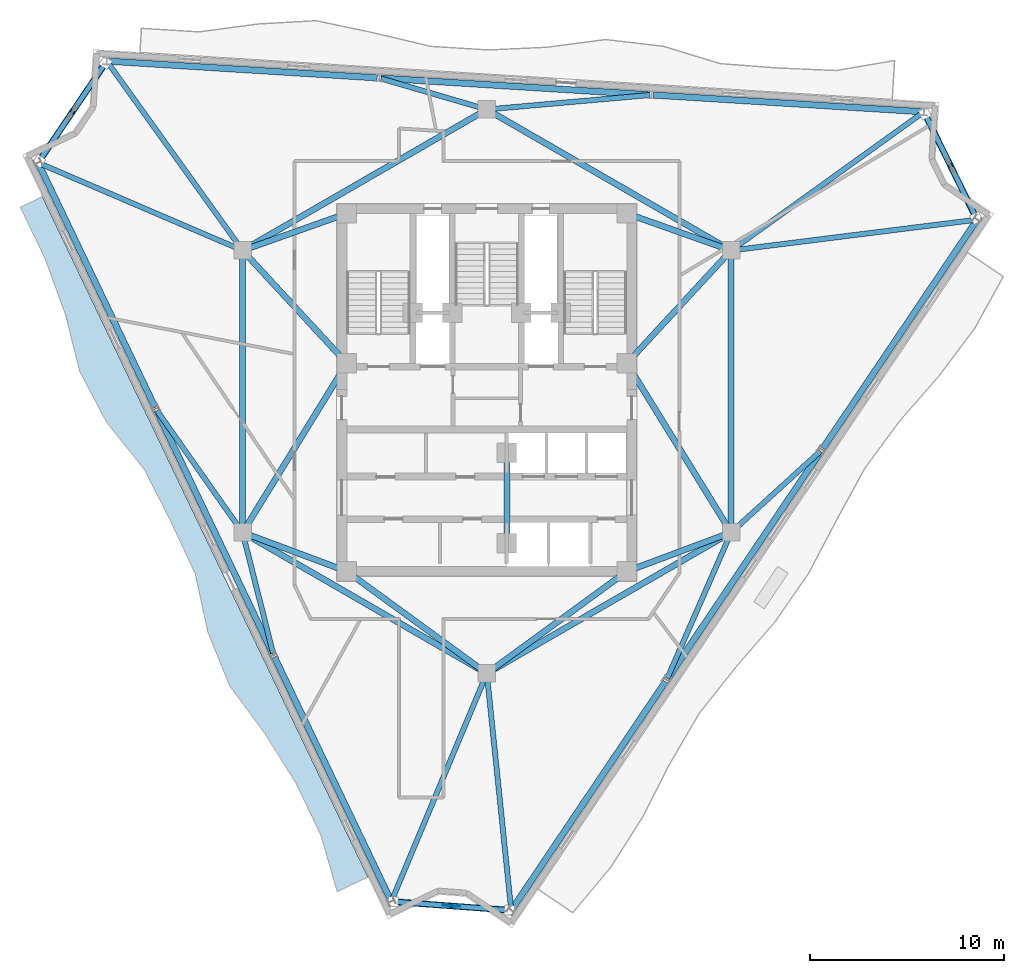
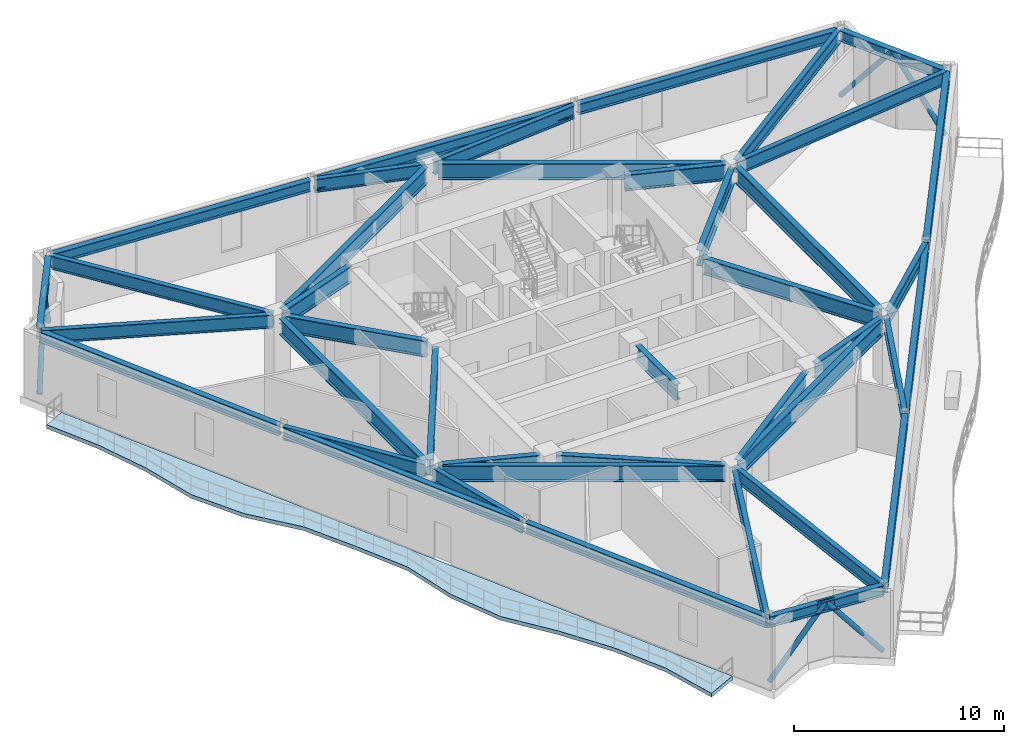
# One storey, part 4 of 11: 41 beams, 6 members, 1 plate, 1 slab.
"""IFC4 building model written with IfcOpenShell, lengths in metres."""

from ifc_helpers import new_model, si_unit, direction, frame, origin, origin_2d, place, context, subcontext, project, spatial, polyline, rectangle, hollow_circle, i_section, outline, extrude, material, layer, layer_set, material_profile, profile_set, type_object, element, save


model = new_model("IFC4")

# Units and contexts
model_context = context("Model", 3, precision=1e-05, world=origin(), true_north=direction((0.0, 1.0)))
body_context = subcontext(model_context, "Body", "Model", "MODEL_VIEW")
ifc_project = project(units=[si_unit("LENGTHUNIT", "METRE"), si_unit("AREAUNIT", "SQUARE_METRE"), si_unit("VOLUMEUNIT", "CUBIC_METRE"), si_unit("PLANEANGLEUNIT", "RADIAN"), si_unit("MASSUNIT", "GRAM", prefix="KILO")], contexts=[model_context])

# Site, building, storey
site_placement = place(None, origin())
site = spatial("IfcSite", under=ifc_project, at=site_placement, CompositionType="ELEMENT")
building_placement = place(site_placement, origin())
building = spatial("IfcBuilding", under=site, at=building_placement, Name="Apsidion Concourse Tower", CompositionType="ELEMENT")
storey_placement = place(building_placement, frame((0.0, 0.0, 294.199951171875)))
storey = spatial("IfcBuildingStorey", under=building, at=storey_placement, Name="L69", CompositionType="ELEMENT", Elevation=294.199951171875)

# Beams
ifc_material_1 = material(Name="Structural steel ASTM A992 Grade 50", Category="steel")
ifc_material_profile_1 = material_profile(ifc_material_1, i_section(OverallWidth=0.31005859375, OverallDepth=0.931884765625, WebThickness=0.02099609375, FlangeThickness=0.034423828125, at=origin_2d()), Name="W36X210")
ifc_profile_set_1 = profile_set([ifc_material_profile_1], Name="Structural steel ASTM A992 Grade 50")
beam_type_1 = type_object("IfcBeamType", Name="BM-G-W36", PredefinedType="USERDEFINED", material=ifc_profile_set_1)
beam_1_placement = place(storey_placement, frame((-12.185302734375, -7.389892578125, 3.384033203125), z_axis=(0.936913021145, -0.349562570664, 0.0), x_axis=(0.349562570664, 0.936913021145, 0.0)))
element("IfcBeam", 1, at=beam_1_placement, inside=storey, type_object=beam_type_1, Name="L69 Core Coupling Girder IC1-SC1", ObjectType="GIRDER", PredefinedType="USERDEFINED", context=body_context, shape_type="SweptSolid", body=[
    extrude(i_section(OverallWidth=0.31005859375, OverallDepth=0.931884765625, WebThickness=0.02099609375, FlangeThickness=0.034423828125, at=origin_2d()), origin(), (0.0, 0.0, 1.0), 4.921142578125),
])
beam_2_placement = place(storey_placement, frame((-12.35009765625, -6.909423828125, 3.384033203125), z_axis=(0.524524009763, 0.851395656074, 0.0), x_axis=(-0.851395656074, 0.524524009763, 0.0)))
element("IfcBeam", 2, at=beam_2_placement, inside=storey, type_object=beam_type_1, Name="L69 Core Coupling Girder IC1-SC6", ObjectType="GIRDER", PredefinedType="USERDEFINED", context=body_context, shape_type="SweptSolid", body=[
    extrude(i_section(OverallWidth=0.31005859375, OverallDepth=0.931884765625, WebThickness=0.02099609375, FlangeThickness=0.034423828125, at=origin_2d()), origin(), (0.0, 0.0, 1.0), 9.41845703125),
])
beam_3_placement = place(storey_placement, frame((12.185302734375, -7.389892578125, 3.384033203125), z_axis=(-0.936913021145, -0.349562570664, 0.0), x_axis=(0.349562570664, -0.936913021145, 0.0)))
element("IfcBeam", 3, at=beam_3_placement, inside=storey, type_object=beam_type_1, Name="L69 Core Coupling Girder IC2-SC2", ObjectType="GIRDER", PredefinedType="USERDEFINED", context=body_context, shape_type="SweptSolid", body=[
    extrude(i_section(OverallWidth=0.31005859375, OverallDepth=0.931884765625, WebThickness=0.02099609375, FlangeThickness=0.034423828125, at=origin_2d()), origin(), (0.0, 0.0, 1.0), 4.921142578125),
])
beam_4_placement = place(storey_placement, frame((12.35009765625, -6.909423828125, 3.384033203125), z_axis=(-0.524524009763, 0.851395656074, 0.0), x_axis=(-0.851395656074, -0.524524009763, 0.0)))
element("IfcBeam", 4, at=beam_4_placement, inside=storey, type_object=beam_type_1, Name="L69 Core Coupling Girder IC2-SC3", ObjectType="GIRDER", PredefinedType="USERDEFINED", context=body_context, shape_type="SweptSolid", body=[
    extrude(i_section(OverallWidth=0.31005859375, OverallDepth=0.931884765625, WebThickness=0.02099609375, FlangeThickness=0.034423828125, at=origin_2d()), origin(), (0.0, 0.0, 1.0), 9.41845703125),
])
beam_5_placement = place(storey_placement, frame((12.28857421875, 6.956298828125, 3.384033203125), z_axis=(-0.678712876106, -0.73440372535, 0.0), x_axis=(0.73440372535, -0.678712876106, 0.0)))
element("IfcBeam", 5, at=beam_5_placement, inside=storey, type_object=beam_type_1, Name="L69 Core Coupling Girder IC3-SC3", ObjectType="GIRDER", PredefinedType="USERDEFINED", context=body_context, shape_type="SweptSolid", body=[
    extrude(i_section(OverallWidth=0.31005859375, OverallDepth=0.931884765625, WebThickness=0.02099609375, FlangeThickness=0.034423828125, at=origin_2d()), origin(), (0.0, 0.0, 1.0), 7.097412109375),
])
beam_6_placement = place(storey_placement, frame((12.18310546875, 7.383544921875, 3.384033203125), z_axis=(-0.942533844539, 0.334110688094, 0.0), x_axis=(-0.334110688094, -0.942533844539, 0.0)))
element("IfcBeam", 6, at=beam_6_placement, inside=storey, type_object=beam_type_1, Name="L69 Core Coupling Girder IC3-SC4", ObjectType="GIRDER", PredefinedType="USERDEFINED", context=body_context, shape_type="SweptSolid", body=[
    extrude(i_section(OverallWidth=0.31005859375, OverallDepth=0.931884765625, WebThickness=0.02099609375, FlangeThickness=0.034423828125, at=origin_2d()), origin(), (0.0, 0.0, 1.0), 4.886962890625),
])
beam_7_placement = place(storey_placement, frame((-12.28857421875, 6.956298828125, 3.384033203125), z_axis=(0.678712876106, -0.73440372535, 0.0), x_axis=(0.73440372535, 0.678712876106, 0.0)))
element("IfcBeam", 7, at=beam_7_placement, inside=storey, type_object=beam_type_1, Name="L69 Core Coupling Girder IC5-SC6", ObjectType="GIRDER", PredefinedType="USERDEFINED", context=body_context, shape_type="SweptSolid", body=[
    extrude(i_section(OverallWidth=0.31005859375, OverallDepth=0.931884765625, WebThickness=0.02099609375, FlangeThickness=0.034423828125, at=origin_2d()), origin(), (0.0, 0.0, 1.0), 7.097412109375),
])
beam_8_placement = place(storey_placement, frame((-12.18310546875, 7.383544921875, 3.384033203125), z_axis=(0.942533844539, 0.334110688094, 0.0), x_axis=(-0.334110688094, 0.942533844539, 0.0)))
element("IfcBeam", 8, at=beam_8_placement, inside=storey, type_object=beam_type_1, Name="L69 Core Coupling Girder IC5-SC5", ObjectType="GIRDER", PredefinedType="USERDEFINED", context=body_context, shape_type="SweptSolid", body=[
    extrude(i_section(OverallWidth=0.31005859375, OverallDepth=0.931884765625, WebThickness=0.02099609375, FlangeThickness=0.034423828125, at=origin_2d()), origin(), (0.0, 0.0, 1.0), 4.886962890625),
])
for number, where, z_axis, x_axis, name in (
    (9, (-0.3232421875, -14.264404296875, 3.384033203125), (-0.807993498909, 0.589191399905, 0.0), (-0.589191399905, -0.807993498909, 0.0), "L69 Core Coupling Girder IC6-SC1"),
    (10, (0.3232421875, -14.264404296875, 3.384033203125), (0.807993498909, 0.589191399905, 0.0), (-0.589191399905, 0.807993498909, 0.0), "L69 Core Coupling Girder IC6-SC2"),
):
    element("IfcBeam", number, at=place(storey_placement, frame(where, z_axis=z_axis, x_axis=x_axis)), inside=storey, type_object=beam_type_1, Name=name, ObjectType="GIRDER", PredefinedType="USERDEFINED", context=body_context, shape_type="SweptSolid", body=[
        extrude(i_section(OverallWidth=0.31005859375, OverallDepth=0.931884765625, WebThickness=0.02099609375, FlangeThickness=0.034423828125, at=origin_2d()), origin(), (0.0, 0.0, 1.0), 8.11083984375),
    ])
beam_9_placement = place(storey_placement, frame((-12.56005859375, -6.85009765625, 3.384033203125), z_axis=(0.0, 1.0, 0.0), x_axis=(-1.0, 0.0, 0.0)))
element("IfcBeam", 11, at=beam_9_placement, inside=storey, type_object=beam_type_1, Name="L69 Core Coupling Girder IC1-IC5", ObjectType="GIRDER", PredefinedType="USERDEFINED", context=body_context, shape_type="SweptSolid", body=[
    extrude(i_section(OverallWidth=0.31005859375, OverallDepth=0.931884765625, WebThickness=0.02099609375, FlangeThickness=0.034423828125, at=origin_2d()), origin(), (0.0, 0.0, 1.0), 13.7001953125),
])
for number, where, z_axis, x_axis, name in (
    (12, (-12.213623046875, 7.449951171875, 3.384033203125), (0.866070471464, 0.499921932364, 0.0), (-0.499921932364, 0.866070471464, 0.0), "L69 Core Coupling Girder IC5-IC4"),
    (13, (0.346435546875, 14.300048828125, 3.384033203125), (0.866070471464, -0.499921932364, 0.0), (0.499921932364, 0.866070471464, 0.0), "L69 Core Coupling Girder IC4-IC3"),
):
    element("IfcBeam", number, at=place(storey_placement, frame(where, z_axis=z_axis, x_axis=x_axis)), inside=storey, type_object=beam_type_1, Name=name, ObjectType="GIRDER", PredefinedType="USERDEFINED", context=body_context, shape_type="SweptSolid", body=[
        extrude(i_section(OverallWidth=0.31005859375, OverallDepth=0.931884765625, WebThickness=0.02099609375, FlangeThickness=0.034423828125, at=origin_2d()), origin(), (0.0, 0.0, 1.0), 13.702392578125),
    ])
beam_10_placement = place(storey_placement, frame((12.56005859375, 6.85009765625, 3.384033203125), z_axis=(0.0, -1.0, 0.0), x_axis=(1.0, 0.0, 0.0)))
element("IfcBeam", 14, at=beam_10_placement, inside=storey, type_object=beam_type_1, Name="L69 Core Coupling Girder IC3-IC2", ObjectType="GIRDER", PredefinedType="USERDEFINED", context=body_context, shape_type="SweptSolid", body=[
    extrude(i_section(OverallWidth=0.31005859375, OverallDepth=0.931884765625, WebThickness=0.02099609375, FlangeThickness=0.034423828125, at=origin_2d()), origin(), (0.0, 0.0, 1.0), 13.7001953125),
])
for number, where, z_axis, x_axis, name in (
    (15, (12.213623046875, -7.449951171875, 3.384033203125), (-0.866070471464, -0.499921932364, 0.0), (0.499921932364, -0.866070471464, 0.0), "L69 Core Coupling Girder IC2-IC6"),
    (16, (-0.346435546875, -14.300048828125, 3.384033203125), (-0.866070471464, 0.499921932364, 0.0), (-0.499921932364, -0.866070471464, 0.0), "L69 Core Coupling Girder IC6-IC1"),
):
    element("IfcBeam", number, at=place(storey_placement, frame(where, z_axis=z_axis, x_axis=x_axis)), inside=storey, type_object=beam_type_1, Name=name, ObjectType="GIRDER", PredefinedType="USERDEFINED", context=body_context, shape_type="SweptSolid", body=[
        extrude(i_section(OverallWidth=0.31005859375, OverallDepth=0.931884765625, WebThickness=0.02099609375, FlangeThickness=0.034423828125, at=origin_2d()), origin(), (0.0, 0.0, 1.0), 13.702392578125),
    ])
beam_11_placement = place(storey_placement, frame((1.02490234375, -3.550048828125, 3.384033203125), z_axis=(0.0, -1.0, 0.0), x_axis=(1.0, 0.0, 0.0)))
element("IfcBeam", 17, at=beam_11_placement, inside=storey, type_object=beam_type_1, Name="L69 Core Coupling Girder CC5-CC6", ObjectType="GIRDER", PredefinedType="USERDEFINED", context=body_context, shape_type="SweptSolid", body=[
    extrude(i_section(OverallWidth=0.31005859375, OverallDepth=0.931884765625, WebThickness=0.02099609375, FlangeThickness=0.034423828125, at=origin_2d()), origin(), (0.0, 0.0, 1.0), 3.849853515625),
])
ifc_material_profile_2 = material_profile(ifc_material_1, i_section(OverallWidth=0.324951171875, OverallDepth=0.616943359375, WebThickness=0.013916015625, FlangeThickness=0.021484375, at=origin_2d()), Name="W24X117")
ifc_profile_set_2 = profile_set([ifc_material_profile_2], Name="Structural steel ASTM A992 Grade 50")
beam_type_2 = type_object("IfcBeamType", Name="BM-SP-W24", PredefinedType="SPANDREL", material=ifc_profile_set_2)
beam_12_placement = place(storey_placement, frame((-23.0302734375, 11.66845703125, 3.54150390625), z_axis=(0.431360581796, -0.902179609874, 0.0), x_axis=(0.902179609874, 0.431360581796, 0.0)))
element("IfcBeam", 18, at=beam_12_placement, inside=storey, type_object=beam_type_2, Name="L69 Perimeter Spandrel Girder SP-01", PredefinedType="SPANDREL", context=body_context, shape_type="SweptSolid", body=[
    extrude(i_section(OverallWidth=0.324951171875, OverallDepth=0.616943359375, WebThickness=0.013916015625, FlangeThickness=0.021484375, at=origin_2d()), origin(), (0.0, 0.0, 1.0), 13.834716796875),
])
beam_13_placement = place(storey_placement, frame((-16.976318359375, -0.993408203125, 3.54150390625), z_axis=(0.43136744944, -0.902176326204, 0.0), x_axis=(0.902176326204, 0.43136744944, 0.0)))
element("IfcBeam", 19, at=beam_13_placement, inside=storey, type_object=beam_type_2, Name="L69 Perimeter Spandrel Girder SP-02", PredefinedType="SPANDREL", context=body_context, shape_type="SweptSolid", body=[
    extrude(i_section(OverallWidth=0.324951171875, OverallDepth=0.616943359375, WebThickness=0.013916015625, FlangeThickness=0.021484375, at=origin_2d()), origin(), (0.0, 0.0, 1.0), 13.83447265625),
])
beam_14_placement = place(storey_placement, frame((-10.92236328125, -13.655029296875, 3.54150390625), z_axis=(0.431360581796, -0.902179609874, 0.0), x_axis=(0.902179609874, 0.431360581796, 0.0)))
element("IfcBeam", 20, at=beam_14_placement, inside=storey, type_object=beam_type_2, Name="L69 Perimeter Spandrel Girder SP-03", PredefinedType="SPANDREL", context=body_context, shape_type="SweptSolid", body=[
    extrude(i_section(OverallWidth=0.324951171875, OverallDepth=0.616943359375, WebThickness=0.013916015625, FlangeThickness=0.021484375, at=origin_2d()), origin(), (0.0, 0.0, 1.0), 13.834716796875),
])
beam_15_placement = place(storey_placement, frame((-4.81201171875, -26.234130859375, 3.54150390625), z_axis=(0.997286428853, -0.073619147134, 0.0), x_axis=(0.073619147134, 0.997286428853, 0.0)))
element("IfcBeam", 21, at=beam_15_placement, inside=storey, type_object=beam_type_2, Name="L69 Perimeter Spandrel Girder SP-04", PredefinedType="SPANDREL", context=body_context, shape_type="SweptSolid", body=[
    extrude(i_section(OverallWidth=0.324951171875, OverallDepth=0.616943359375, WebThickness=0.013916015625, FlangeThickness=0.021484375, at=origin_2d()), origin(), (0.0, 0.0, 1.0), 5.982421875),
])
beam_16_placement = place(storey_placement, frame((1.309814453125, -26.59912109375, 3.54150390625), z_axis=(0.559201815781, 0.829031561056, 0.0), x_axis=(-0.829031561056, 0.559201815781, 0.0)))
element("IfcBeam", 22, at=beam_16_placement, inside=storey, type_object=beam_type_2, Name="L69 Perimeter Spandrel Girder SP-05", PredefinedType="SPANDREL", context=body_context, shape_type="SweptSolid", body=[
    extrude(i_section(OverallWidth=0.324951171875, OverallDepth=0.616943359375, WebThickness=0.013916015625, FlangeThickness=0.021484375, at=origin_2d()), origin(), (0.0, 0.0, 1.0), 14.07958984375),
])
beam_17_placement = place(storey_placement, frame((9.294921875, -14.760986328125, 3.54150390625), z_axis=(0.559189897853, 0.829039599862, 0.0), x_axis=(-0.829039599862, 0.559189897853, 0.0)))
element("IfcBeam", 23, at=beam_17_placement, inside=storey, type_object=beam_type_2, Name="L69 Perimeter Spandrel Girder SP-06", PredefinedType="SPANDREL", context=body_context, shape_type="SweptSolid", body=[
    extrude(i_section(OverallWidth=0.324951171875, OverallDepth=0.616943359375, WebThickness=0.013916015625, FlangeThickness=0.021484375, at=origin_2d()), origin(), (0.0, 0.0, 1.0), 14.079345703125),
])
beam_18_placement = place(storey_placement, frame((17.27978515625, -2.9228515625, 3.54150390625), z_axis=(0.559201815781, 0.829031561056, 0.0), x_axis=(-0.829031561056, 0.559201815781, 0.0)))
element("IfcBeam", 24, at=beam_18_placement, inside=storey, type_object=beam_type_2, Name="L69 Perimeter Spandrel Girder SP-07", PredefinedType="SPANDREL", context=body_context, shape_type="SweptSolid", body=[
    extrude(i_section(OverallWidth=0.324951171875, OverallDepth=0.616943359375, WebThickness=0.013916015625, FlangeThickness=0.021484375, at=origin_2d()), origin(), (0.0, 0.0, 1.0), 14.07958984375),
])
beam_19_placement = place(storey_placement, frame((25.164794921875, 8.922119140625, 3.54150390625), z_axis=(-0.441884134894, 0.897072132734, 0.0), x_axis=(-0.897072132734, -0.441884134894, 0.0)))
element("IfcBeam", 25, at=beam_19_placement, inside=storey, type_object=beam_type_2, Name="L69 Perimeter Spandrel Girder SP-08", PredefinedType="SPANDREL", context=body_context, shape_type="SweptSolid", body=[
    extrude(i_section(OverallWidth=0.324951171875, OverallDepth=0.616943359375, WebThickness=0.013916015625, FlangeThickness=0.021484375, at=origin_2d()), origin(), (0.0, 0.0, 1.0), 5.982421875),
])
beam_20_placement = place(storey_placement, frame((22.377197265625, 14.384765625, 3.54150390625), z_axis=(-0.998077561187, 0.06197726886, 0.0), x_axis=(-0.06197726886, -0.998077561187, 0.0)))
element("IfcBeam", 26, at=beam_20_placement, inside=storey, type_object=beam_type_2, Name="L69 Perimeter Spandrel Girder SP-09", PredefinedType="SPANDREL", context=body_context, shape_type="SweptSolid", body=[
    extrude(i_section(OverallWidth=0.324951171875, OverallDepth=0.616943359375, WebThickness=0.013916015625, FlangeThickness=0.021484375, at=origin_2d()), origin(), (0.0, 0.0, 1.0), 13.83447265625),
])
for number, where, z_axis, x_axis, name in (
    (27, (8.36962890625, 15.254638671875, 3.54150390625), (-0.998076537228, 0.061993756414, 0.0), (-0.061993756414, -0.998076537228, 0.0), "L69 Perimeter Spandrel Girder SP-10"),
    (28, (-5.637939453125, 16.12451171875, 3.54150390625), (-0.998076537228, 0.061993756414, 0.0), (-0.061993756414, -0.998076537228, 0.0), "L69 Perimeter Spandrel Girder SP-11"),
):
    element("IfcBeam", number, at=place(storey_placement, frame(where, z_axis=z_axis, x_axis=x_axis)), inside=storey, type_object=beam_type_2, Name=name, PredefinedType="SPANDREL", context=body_context, shape_type="SweptSolid", body=[
        extrude(i_section(OverallWidth=0.324951171875, OverallDepth=0.616943359375, WebThickness=0.013916015625, FlangeThickness=0.021484375, at=origin_2d()), origin(), (0.0, 0.0, 1.0), 13.834716796875),
    ])
beam_21_placement = place(storey_placement, frame((-19.601806640625, 16.905517578125, 3.54150390625), z_axis=(-0.559174891641, -0.829049721403, 0.0), x_axis=(0.829049721403, -0.559174891641, 0.0)))
element("IfcBeam", 29, at=beam_21_placement, inside=storey, type_object=beam_type_2, Name="L69 Perimeter Spandrel Girder SP-12", PredefinedType="SPANDREL", context=body_context, shape_type="SweptSolid", body=[
    extrude(i_section(OverallWidth=0.324951171875, OverallDepth=0.616943359375, WebThickness=0.013916015625, FlangeThickness=0.021484375, at=origin_2d()), origin(), (0.0, 0.0, 1.0), 6.108154296875),
])
ifc_material_profile_3 = material_profile(ifc_material_1, i_section(OverallWidth=0.26806640625, OverallDepth=0.77001953125, WebThickness=0.015625, FlangeThickness=0.025390625, at=origin_2d()), Name="W30X132")
ifc_profile_set_3 = profile_set([ifc_material_profile_3], Name="Structural steel ASTM A992 Grade 50")
beam_type_3 = type_object("IfcBeamType", Name="BM-SP-W30", PredefinedType="SPANDREL", material=ifc_profile_set_3)
beam_22_placement = place(storey_placement, frame((-12.76220703125, 7.336669921875, 3.465087890625), z_axis=(-0.919050742632, 0.3941392298, 0.0), x_axis=(-0.3941392298, -0.919050742632, 0.0)))
element("IfcBeam", 30, at=beam_22_placement, inside=storey, type_object=beam_type_3, Name="L69 Radial Floor Girder RAD-01", PredefinedType="SPANDREL", context=body_context, shape_type="SweptSolid", body=[
    extrude(i_section(OverallWidth=0.26806640625, OverallDepth=0.77001953125, WebThickness=0.015625, FlangeThickness=0.025390625, at=origin_2d()), origin(), (0.0, 0.0, 1.0), 11.119384765625),
])
beam_23_placement = place(storey_placement, frame((-12.6865234375, -7.070068359375, 3.465087890625), z_axis=(-0.574897998258, 0.818225086146, 0.0), x_axis=(-0.818225086146, -0.574897998258, 0.0)))
element("IfcBeam", 31, at=beam_23_placement, inside=storey, type_object=beam_type_3, Name="L69 Radial Floor Girder RAD-02", PredefinedType="SPANDREL", context=body_context, shape_type="SweptSolid", body=[
    extrude(i_section(OverallWidth=0.26806640625, OverallDepth=0.77001953125, WebThickness=0.015625, FlangeThickness=0.025390625, at=origin_2d()), origin(), (0.0, 0.0, 1.0), 7.436767578125),
])
beam_24_placement = place(storey_placement, frame((-12.506103515625, -7.46337890625, 3.465087890625), z_axis=(0.244807492941, -0.969571705136, 0.0), x_axis=(0.969571705136, 0.244807492941, 0.0)))
element("IfcBeam", 32, at=beam_24_placement, inside=storey, type_object=beam_type_3, Name="L69 Radial Floor Girder RAD-03", PredefinedType="SPANDREL", context=body_context, shape_type="SweptSolid", body=[
    extrude(i_section(OverallWidth=0.26806640625, OverallDepth=0.77001953125, WebThickness=0.015625, FlangeThickness=0.025390625, at=origin_2d()), origin(), (0.0, 0.0, 1.0), 6.193115234375),
])
beam_25_placement = place(storey_placement, frame((-0.0849609375, -14.702880859375, 3.465087890625), z_axis=(-0.386326743156, -0.922361993755, 0.0), x_axis=(0.922361993755, -0.386326743156, 0.0)))
element("IfcBeam", 33, at=beam_25_placement, inside=storey, type_object=beam_type_3, Name="L69 Radial Floor Girder RAD-04", PredefinedType="SPANDREL", context=body_context, shape_type="SweptSolid", body=[
    extrude(i_section(OverallWidth=0.26806640625, OverallDepth=0.77001953125, WebThickness=0.015625, FlangeThickness=0.025390625, at=origin_2d()), origin(), (0.0, 0.0, 1.0), 12.393798828125),
])
beam_26_placement = place(storey_placement, frame((0.0224609375, -14.71875, 3.465087890625), z_axis=(0.10241374793, -0.994741888248, 0.0), x_axis=(0.994741888248, 0.10241374793, 0.0)))
element("IfcBeam", 34, at=beam_26_placement, inside=storey, type_object=beam_type_3, Name="L69 Radial Floor Girder RAD-05", PredefinedType="SPANDREL", context=body_context, shape_type="SweptSolid", body=[
    extrude(i_section(OverallWidth=0.26806640625, OverallDepth=0.77001953125, WebThickness=0.015625, FlangeThickness=0.025390625, at=origin_2d()), origin(), (0.0, 0.0, 1.0), 11.926513671875),
])
beam_27_placement = place(storey_placement, frame((12.4716796875, -7.45166015625, 3.465087890625), z_axis=(-0.400675776745, -0.916219909154, 0.0), x_axis=(0.916219909154, -0.400675776745, 0.0)))
element("IfcBeam", 35, at=beam_27_placement, inside=storey, type_object=beam_type_3, Name="L69 Radial Floor Girder RAD-06", PredefinedType="SPANDREL", context=body_context, shape_type="SweptSolid", body=[
    extrude(i_section(OverallWidth=0.26806640625, OverallDepth=0.77001953125, WebThickness=0.015625, FlangeThickness=0.025390625, at=origin_2d()), origin(), (0.0, 0.0, 1.0), 7.968017578125),
])
beam_28_placement = place(storey_placement, frame((12.72265625, -7.101806640625, 3.465087890625), z_axis=(0.739604100637, 0.673042178709, 0.0), x_axis=(-0.673042178709, 0.739604100637, 0.0)))
element("IfcBeam", 36, at=beam_28_placement, inside=storey, type_object=beam_type_3, Name="L69 Radial Floor Girder RAD-07", PredefinedType="SPANDREL", context=body_context, shape_type="SweptSolid", body=[
    extrude(i_section(OverallWidth=0.26806640625, OverallDepth=0.77001953125, WebThickness=0.015625, FlangeThickness=0.025390625, at=origin_2d()), origin(), (0.0, 0.0, 1.0), 5.986083984375),
])
beam_29_placement = place(storey_placement, frame((12.7783203125, 7.27734375, 3.465087890625), z_axis=(0.99226487514, 0.124138702924, 0.0), x_axis=(-0.124138702924, 0.99226487514, 0.0)))
element("IfcBeam", 37, at=beam_29_placement, inside=storey, type_object=beam_type_3, Name="L69 Radial Floor Girder RAD-08", PredefinedType="SPANDREL", context=body_context, shape_type="SweptSolid", body=[
    extrude(i_section(OverallWidth=0.26806640625, OverallDepth=0.77001953125, WebThickness=0.015625, FlangeThickness=0.025390625, at=origin_2d()), origin(), (0.0, 0.0, 1.0), 12.427490234375),
])
beam_30_placement = place(storey_placement, frame((12.738525390625, 7.37841796875, 3.465087890625), z_axis=(0.811991962087, 0.583668616174, 0.0), x_axis=(-0.583668616174, 0.811991962087, 0.0)))
element("IfcBeam", 38, at=beam_30_placement, inside=storey, type_object=beam_type_3, Name="L69 Radial Floor Girder RAD-09", PredefinedType="SPANDREL", context=body_context, shape_type="SweptSolid", body=[
    extrude(i_section(OverallWidth=0.26806640625, OverallDepth=0.77001953125, WebThickness=0.015625, FlangeThickness=0.025390625, at=origin_2d()), origin(), (0.0, 0.0, 1.0), 11.8935546875),
])
beam_31_placement = place(storey_placement, frame((0.218994140625, 14.519287109375, 3.465087890625), z_axis=(0.99611631584, 0.088047063082, 0.0), x_axis=(-0.088047063082, 0.99611631584, 0.0)))
element("IfcBeam", 39, at=beam_31_placement, inside=storey, type_object=beam_type_3, Name="L69 Radial Floor Girder RAD-10", PredefinedType="SPANDREL", context=body_context, shape_type="SweptSolid", body=[
    extrude(i_section(OverallWidth=0.26806640625, OverallDepth=0.77001953125, WebThickness=0.015625, FlangeThickness=0.025390625, at=origin_2d()), origin(), (0.0, 0.0, 1.0), 8.1826171875),
])
beam_32_placement = place(storey_placement, frame((-0.211181640625, 14.561767578125, 3.465087890625), z_axis=(-0.959858385002, 0.28048508114, 0.0), x_axis=(-0.28048508114, -0.959858385002, 0.0)))
element("IfcBeam", 40, at=beam_32_placement, inside=storey, type_object=beam_type_3, Name="L69 Radial Floor Girder RAD-11", PredefinedType="SPANDREL", context=body_context, shape_type="SweptSolid", body=[
    extrude(i_section(OverallWidth=0.26806640625, OverallDepth=0.77001953125, WebThickness=0.015625, FlangeThickness=0.025390625, at=origin_2d()), origin(), (0.0, 0.0, 1.0), 5.44970703125),
])
beam_33_placement = place(storey_placement, frame((-12.688232421875, 7.4287109375, 3.465087890625), z_axis=(-0.582890152065, 0.812550964941, 0.0), x_axis=(-0.812550964941, -0.582890152065, 0.0)))
element("IfcBeam", 41, at=beam_33_placement, inside=storey, type_object=beam_type_3, Name="L69 Radial Floor Girder RAD-12", PredefinedType="SPANDREL", context=body_context, shape_type="SweptSolid", body=[
    extrude(i_section(OverallWidth=0.26806640625, OverallDepth=0.77001953125, WebThickness=0.015625, FlangeThickness=0.025390625, at=origin_2d()), origin(), (0.0, 0.0, 1.0), 11.664794921875),
])

# Members
ifc_material_2 = material(Name="Structural steel ASTM A500 Grade C", Category="steel")
ifc_material_profile_4 = material_profile(ifc_material_2, hollow_circle(Radius=0.136474609375, WallThickness=0.01611328125, at=origin_2d()), Name="CHS273X16")
ifc_profile_set_4 = profile_set([ifc_material_profile_4], Name="Structural steel ASTM A500 Grade C")
member_type = type_object("IfcMemberType", Name="MB-BR-CHS273", PredefinedType="BRACE", material=ifc_profile_set_4)
for number, where, z_axis, x_axis, name in (
    (42, (-4.81201171875, -26.234130859375, 0.0), (0.621892731678, -0.04590778656, 0.781755655828), (0.073619147134, 0.997286428853, 0.0), "L69 Corner Step-Transfer Chevron Brace KN-1-1"),
    (43, (1.154296875, -26.674560546875, 0.0), (-0.621892731678, 0.04590778656, 0.781755655828), (-0.073619147134, -0.997286428853, 0.0), "L69 Corner Step-Transfer Chevron Brace KN-1-2"),
):
    element("IfcMember", number, at=place(storey_placement, frame(where, z_axis=z_axis, x_axis=x_axis)), inside=storey, type_object=member_type, Name=name, PredefinedType="BRACE", context=body_context, shape_type="SweptSolid", body=[
        extrude(hollow_circle(Radius=0.136474609375, WallThickness=0.01611328125, at=origin_2d()), origin(), (0.0, 0.0, 1.0), 4.796875),
    ])
member_1_placement = place(storey_placement, frame((25.164794921875, 8.922119140625, 0.0), z_axis=(-0.275542124233, 0.559430925299, 0.781737537536), x_axis=(-0.897088067999, -0.441851783128, 0.0)))
element("IfcMember", 44, at=member_1_placement, inside=storey, type_object=member_type, Name="L69 Corner Step-Transfer Chevron Brace KN-2-1", PredefinedType="BRACE", context=body_context, shape_type="SweptSolid", body=[
    extrude(hollow_circle(Radius=0.136474609375, WallThickness=0.01611328125, at=origin_2d()), origin(), (0.0, 0.0, 1.0), 4.797119140625),
])
member_2_placement = place(storey_placement, frame((22.521240234375, 14.288818359375, 0.0), z_axis=(0.275557814553, -0.55936098669, 0.78178205237), x_axis=(0.897056193969, 0.441916490823, 0.0)))
element("IfcMember", 45, at=member_2_placement, inside=storey, type_object=member_type, Name="L69 Corner Step-Transfer Chevron Brace KN-2-2", PredefinedType="BRACE", context=body_context, shape_type="SweptSolid", body=[
    extrude(hollow_circle(Radius=0.136474609375, WallThickness=0.01611328125, at=origin_2d()), origin(), (0.0, 0.0, 1.0), 4.796630859375),
])
for number, where, z_axis, x_axis, name in (
    (46, (-19.601806640625, 16.905517578125, 0.0), (-0.353112966174, -0.523536036053, 0.775384583335), (0.829049721403, -0.559174891641, 0.0), "L69 Corner Step-Transfer Chevron Brace KN-3-1"),
    (47, (-23.017333984375, 11.841552734375, 0.0), (0.353112966174, 0.523536036053, 0.775384583335), (-0.829049721403, 0.559174891641, 0.0), "L69 Corner Step-Transfer Chevron Brace KN-3-2"),
):
    element("IfcMember", number, at=place(storey_placement, frame(where, z_axis=z_axis, x_axis=x_axis)), inside=storey, type_object=member_type, Name=name, PredefinedType="BRACE", context=body_context, shape_type="SweptSolid", body=[
        extrude(hollow_circle(Radius=0.136474609375, WallThickness=0.01611328125, at=origin_2d()), origin(), (0.0, 0.0, 1.0), 4.83642578125),
    ])

# Plate
ifc_material_3 = material(Name="Structural steel ASTM A572 Grade 50", Category="steel")
ifc_layer_1 = layer(ifc_material_3, 0.0400390625)
ifc_layer_set_1 = layer_set([ifc_layer_1], Name="Structural steel ASTM A572 Grade 50")
plate_type = type_object("IfcPlateType", Name="PL-GUSSET-40", PredefinedType="SHEET", material=ifc_layer_set_1)
plate_placement = place(storey_placement, frame((-1.828857421875, -26.454345703125, 3.27001953125), z_axis=(0.0, 0.0, 1.0), x_axis=(-0.997288851512, 0.073586321085, 0.0)))
element("IfcPlate", 48, at=plate_placement, inside=storey, type_object=plate_type, Name="L69 Chevron Apex Node Gusset Plate KNA-1", PredefinedType="SHEET", context=body_context, shape_type="SweptSolid", body=[
    extrude(rectangle(XDim=0.89990234375, YDim=0.0400390625, at=origin_2d()), origin(), (0.0, 0.0, 1.0), 0.60009765625),
])

# Slab
ifc_material_4 = material(Name="Concrete C50/60", Category="concrete")
ifc_layer_2 = layer(ifc_material_4, 0.219970703125)
ifc_layer_set_2 = layer_set([ifc_layer_2], Name="Concrete C50/60")
slab_type = type_object("IfcSlabType", Name="SL-BAL-220", PredefinedType="FLOOR", material=ifc_layer_set_2)
slab_placement = place(storey_placement, frame((0.0, 0.0, -0.219970703125)))
element("IfcSlab", 49, at=slab_placement, inside=storey, type_object=slab_type, Name="L69 Face 1 Rippling Balcony Slab", PredefinedType="FLOOR", context=body_context, shape_type="SweptSolid", body=[
    extrude(outline(polyline([(-22.85546875, 10.015869140625), (-21.56787109375, 7.324951171875), (-20.280517578125, 4.634033203125), (-18.992919921875, 1.943115234375), (-17.70556640625, -0.747802734375), (-16.41796875, -3.438720703125), (-15.130615234375, -6.129638671875), (-13.843017578125, -8.820556640625), (-12.555419921875, -11.51171875), (-11.26806640625, -14.202392578125), (-9.980712890625, -16.893310546875), (-8.693115234375, -19.58447265625), (-7.405517578125, -22.275390625), (-6.1181640625, -24.96630859375), (-7.693115234375, -25.7197265625), (-8.533203125, -22.814697265625), (-9.82080078125, -20.123779296875), (-11.417724609375, -17.5810546875), (-13.220458984375, -15.13671875), (-14.345703125, -12.3681640625), (-14.991943359375, -9.370361328125), (-16.258056640625, -6.669189453125), (-17.60986328125, -4.009033203125), (-19.529052734375, -1.620361328125), (-20.92822265625, 1.01708984375), (-21.6708984375, 3.96875), (-22.695556640625, 6.785400390625), (-23.98291015625, 9.476318359375), (-22.85546875, 10.015869140625)])), origin(), (0.0, 0.0, 1.0), 0.219970703125),
])

save(model, "model.ifc")
